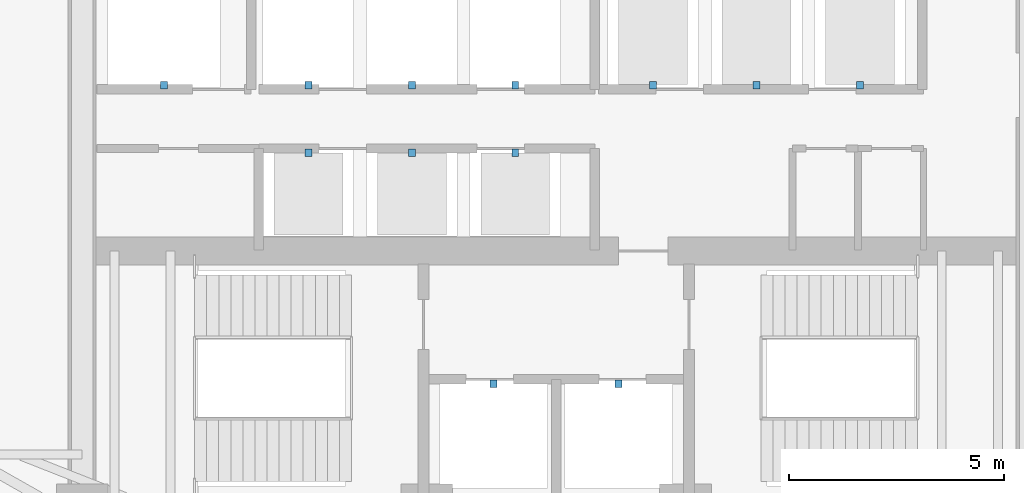
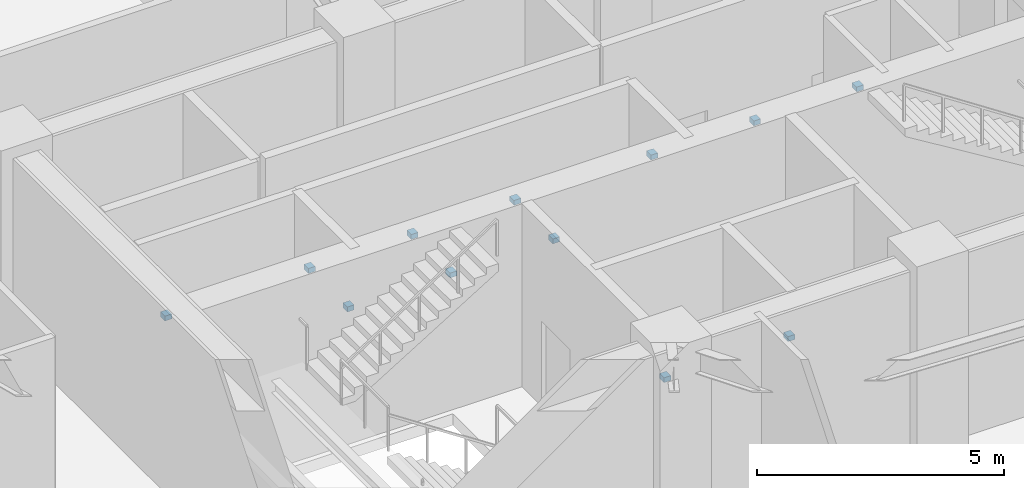
# One storey, part 28 of 35: 12 discrete accessories.
"""IFC4 building model written with IfcOpenShell, lengths in metres."""

import ifcopenshell
import ifcopenshell.guid

model = None  # the IFC model being written
_history = None  # IfcOwnerHistory: only IFC2X3 demands one
_inside = {}  # id of a spatial element -> (the spatial element, [elements in it])
_under = {}  # id of a project, library or spatial element -> (it, [spatial elements below it])
_declared = {}  # id of a project -> (the project, [libraries it declares])
_typed = {}  # id of a type object -> (the type object, [elements of that type])
_made_of = {}  # id of a material, layer set ... -> (it, [elements and type objects made of it])


def new_model(schema):
    """Start an empty IFC model of exactly this schema.

    Asked for "IFC4X3", IfcOpenShell would pick the latest addendum, in which some entities
    have other attributes; the version numbers below select the first issue.
    IFC2X3 requires an IfcOwnerHistory on every rooted entity: one is made here for all.
    """
    global model, _history
    if schema == "IFC4X3":
        model = ifcopenshell.file(schema_version=(4, 3, 0, 0))
    else:
        model = ifcopenshell.file(schema=schema)
    _inside.clear()
    _under.clear()
    _declared.clear()
    _typed.clear()
    _made_of.clear()
    _history = None
    if model.schema == "IFC2X3":
        org = make("IfcOrganization", Name="unknown")
        user = make(
            "IfcPersonAndOrganization",
            ThePerson=make("IfcPerson", FamilyName="unknown"),
            TheOrganization=org,
        )
        app = make(
            "IfcApplication",
            ApplicationDeveloper=org,
            Version="unknown",
            ApplicationFullName="unknown",
            ApplicationIdentifier="unknown",
        )
        _history = make(
            "IfcOwnerHistory",
            OwningUser=user,
            OwningApplication=app,
            ChangeAction="ADDED",
            CreationDate=0,
        )
    return model


def make(cls, **values):
    """One entity of the class cls with the attributes given. An attribute that is None is left unset."""
    return model.create_entity(
        cls, **{name: value for name, value in values.items() if value is not None}
    )


def rooted(cls, **values):
    """An entity with a GlobalId (a new one), such as an element, a storey or a relation."""
    return make(cls, GlobalId=ifcopenshell.guid.new(), OwnerHistory=_history, **values)


def si_unit(unit_type, name, prefix=None):
    """IfcSIUnit, for example si_unit("LENGTHUNIT", "METRE", prefix="MILLI")."""
    return make("IfcSIUnit", UnitType=unit_type, Prefix=prefix, Name=name)


def assignment(units):
    """IfcUnitAssignment: the units of a project."""
    return None if units is None else make("IfcUnitAssignment", Units=units)


def point(xyz):
    """IfcCartesianPoint."""
    return None if xyz is None else make("IfcCartesianPoint", Coordinates=xyz)


def direction(xyz):
    """IfcDirection."""
    return None if xyz is None else make("IfcDirection", DirectionRatios=xyz)


def frame(location, z_axis=None, x_axis=None):
    """IfcAxis2Placement3D, a coordinate frame: its origin and axes. An axis left out is left unset."""
    return make(
        "IfcAxis2Placement3D",
        Location=point(location),
        Axis=direction(z_axis),
        RefDirection=direction(x_axis),
    )


def frame_2d(location, x_axis=None):
    """IfcAxis2Placement2D, a coordinate frame in the plane: its origin and x axis."""
    return make(
        "IfcAxis2Placement2D", Location=point(location), RefDirection=direction(x_axis)
    )


def origin():
    """The frame at (0, 0, 0) with its axes left unset."""
    return frame((0.0, 0.0, 0.0))


def origin_2d():
    """The frame at (0, 0) in the plane with its x axis left unset."""
    return frame_2d((0.0, 0.0))


def place(relative_to, where):
    """IfcLocalPlacement: puts the frame where relative to a parent placement (None: the world)."""
    return make(
        "IfcLocalPlacement", PlacementRelTo=relative_to, RelativePlacement=where
    )


def context(
    kind, dimensions, precision=None, world=None, true_north=None, identifier=None
):
    """IfcGeometricRepresentationContext, for example the 3D "Model" context."""
    return make(
        "IfcGeometricRepresentationContext",
        ContextIdentifier=identifier,
        ContextType=kind,
        CoordinateSpaceDimension=dimensions,
        Precision=precision,
        WorldCoordinateSystem=world,
        TrueNorth=true_north,
    )


def subcontext(parent, identifier, kind, view, scale=None):
    """IfcGeometricRepresentationSubContext, for example "Body" below "Model"."""
    return make(
        "IfcGeometricRepresentationSubContext",
        ContextIdentifier=identifier,
        ContextType=kind,
        ParentContext=parent,
        TargetScale=scale,
        TargetView=view,
    )


def project(units=None, contexts=None):
    """IfcProject with its units and contexts."""
    return rooted(
        "IfcProject",
        Name="project",
        RepresentationContexts=contexts,
        UnitsInContext=assignment(units),
    )


def spatial(cls, under=None, at=None, **own):
    """A site, building, storey or space (cls), placed at a placement, below another one or the project."""
    s = rooted(cls, ObjectPlacement=at, **own)
    if under is not None:
        _under.setdefault(under.id(), (under, []))[1].append(s)
    return s


def profile(cls, at=None, kind="AREA", **sizes):
    """A parametric profile (cls). Its sizes go by their IFC names, for example OverallWidth=200.0."""
    return make(cls, ProfileType=kind, Position=at, **sizes)


def rectangle(**sizes):
    """IfcRectangleProfileDef."""
    return profile("IfcRectangleProfileDef", **sizes)


def extrude(swept, where, along, depth):
    """IfcExtrudedAreaSolid: the profile swept, set in the frame where, extruded along a direction by depth."""
    return make(
        "IfcExtrudedAreaSolid",
        SweptArea=swept,
        Position=where,
        ExtrudedDirection=direction(along),
        Depth=depth,
    )


def shape(context_of_items, identifier, shape_type, items):
    """IfcShapeRepresentation: the items that make up one representation, for example the "Body"."""
    return make(
        "IfcShapeRepresentation",
        ContextOfItems=context_of_items,
        RepresentationIdentifier=identifier,
        RepresentationType=shape_type,
        Items=items,
    )


def material(Name=None, Category=None):
    """IfcMaterial."""
    return make("IfcMaterial", Name=Name, Category=Category)


def made_of(thing, what):
    """Note that an element or type object is made of a material, layer set ...; save() writes the relation."""
    if what is not None:
        _made_of.setdefault(what.id(), (what, []))[1].append(thing)
    return thing


def type_object(cls, material=None, **own):
    """A type object (cls), such as IfcWallType, which elements share."""
    return made_of(rooted(cls, **own), material)


def element(
    cls,
    number,
    at=None,
    inside=None,
    cuts=None,
    type_object=None,
    material=None,
    context=None,
    identifier="Body",
    shape_type=None,
    held_by="IfcProductDefinitionShape",
    body=None,
    shapes=None,
    **own,
):
    """One element of the class cls, such as IfcWall. Its Tag is "e" and its number.

    at: its placement. inside: the storey or other place that contains it. cuts: it is an
    opening in that element (IfcRelVoidsElement). A single representation is given by context,
    identifier, shape_type and body (its items); several are given by shapes. held_by: the class
    of the entity that holds the representations. save() writes the other relations.
    """
    e = rooted(cls, Tag="e%d" % number, ObjectPlacement=at, **own)
    if body is not None:
        shapes = [shape(context, identifier, shape_type, body)]
    if shapes is not None:
        e.Representation = make(held_by, Representations=shapes)
    if inside is not None:
        _inside.setdefault(inside.id(), (inside, []))[1].append(e)
    if cuts is not None:
        rooted(
            "IfcRelVoidsElement", RelatingBuildingElement=cuts, RelatedOpeningElement=e
        )
    if type_object is not None:
        _typed.setdefault(type_object.id(), (type_object, []))[1].append(e)
    return made_of(e, material)


def aggregate(whole, parts):
    """IfcRelAggregates: a whole, such as a stair, and the parts it consists of."""
    return rooted("IfcRelAggregates", RelatingObject=whole, RelatedObjects=parts)


def save(model, path):
    """Write the relations noted so far, then the file.

    IfcRelAggregates (storeys below a building ...), IfcRelContainedInSpatialStructure (elements
    in a storey), IfcRelDefinesByType, IfcRelAssociatesMaterial and IfcRelDeclares: one each for
    every whole, place, type object, material and project.
    """
    for whole, parts in _under.values():
        aggregate(whole, parts)
    for where, things in _inside.values():
        rooted(
            "IfcRelContainedInSpatialStructure",
            RelatedElements=things,
            RelatingStructure=where,
        )
    for kind, things in _typed.values():
        rooted("IfcRelDefinesByType", RelatedObjects=things, RelatingType=kind)
    for what, things in _made_of.values():
        rooted("IfcRelAssociatesMaterial", RelatedObjects=things, RelatingMaterial=what)
    for by, libraries in _declared.values():
        rooted("IfcRelDeclares", RelatingContext=by, RelatedDefinitions=libraries)
    model.write(path)


model = new_model("IFC4")

# Units and contexts
model_context = context("Model", 3, precision=1e-05, world=origin(), true_north=direction((0.0, 1.0)))
body_context = subcontext(model_context, "Body", "Model", "MODEL_VIEW")
ifc_project = project(units=[si_unit("LENGTHUNIT", "METRE"), si_unit("AREAUNIT", "SQUARE_METRE"), si_unit("VOLUMEUNIT", "CUBIC_METRE"), si_unit("PLANEANGLEUNIT", "RADIAN"), si_unit("MASSUNIT", "GRAM", prefix="KILO")], contexts=[model_context])

# Site, building, storey
site_placement = place(None, origin())
site = spatial("IfcSite", under=ifc_project, at=site_placement, CompositionType="ELEMENT")
building_placement = place(site_placement, origin())
building = spatial("IfcBuilding", under=site, at=building_placement, Name="Kazevale Care Tower and Concert Hall", CompositionType="ELEMENT")
storey_placement = place(building_placement, origin())
storey = spatial("IfcBuildingStorey", under=building, at=storey_placement, Name="L00", CompositionType="ELEMENT", Elevation=0.0)

# Discrete accessories
ifc_material = material(Name="Stainless Steel 316", Category="steel")
discrete_accessory_type = type_object("IfcDiscreteAccessoryType", Name="Hoistway Guide-Rail Wall Bracket HBRK-1", PredefinedType="BRACKET", material=ifc_material)
for number, where, z_axis, x_axis, name in (
    (1, (31.550048828125, 26.52001953125, 1.239990234375), (0.0, 0.0, 1.0), (1.0, 0.0, 0.0), "hbrk:FFL-1:L00"),
    (2, (34.449951171875, 26.52001953125, 1.239990234375), (0.0, 0.0, 1.0), (1.0, 0.0, 0.0), "hbrk:FFL-2:L00"),
    (3, (23.89990234375, 33.449951171875, 1.239990234375), (0.0, 0.0, 1.0), (1.0, 0.0, 0.0), "hbrk:SVL-1:L00"),
    (4, (27.25, 33.449951171875, 1.239990234375), (0.0, 0.0, 1.0), (1.0, 0.0, 0.0), "hbrk:PL-1:L00"),
    (5, (29.64990234375, 33.449951171875, 1.239990234375), (0.0, 0.0, 1.0), (1.0, 0.0, 0.0), "hbrk:PL-2:L00"),
    (6, (32.050048828125, 33.449951171875, 1.239990234375), (0.0, 0.0, 1.0), (1.0, 0.0, 0.0), "hbrk:PL-3:L00"),
    (7, (35.25, 33.449951171875, 1.239990234375), (0.0, 0.0, 1.0), (1.0, 0.0, 0.0), "hbrk:PM-1:L00"),
    (8, (37.64990234375, 33.449951171875, 1.239990234375), (0.0, 0.0, 1.0), (1.0, 0.0, 0.0), "hbrk:PM-2:L00"),
    (9, (40.050048828125, 33.449951171875, 1.239990234375), (0.0, 0.0, 1.0), (1.0, 0.0, 0.0), "hbrk:PM-3:L00"),
    (10, (27.25, 31.8798828125, 1.239990234375), (0.0, 0.0, 1.0), (1.0, 0.0, 0.0), "hbrk:PH-1:L00"),
    (11, (29.64990234375, 31.8798828125, 1.239990234375), (0.0, 0.0, 1.0), (1.0, 0.0, 0.0), "hbrk:PH-2:L00"),
    (12, (32.050048828125, 31.8798828125, 1.239990234375), (0.0, 0.0, 1.0), (1.0, 0.0, 0.0), "hbrk:PH-3:L00"),
):
    element("IfcDiscreteAccessory", number, at=place(storey_placement, frame(where, z_axis=z_axis, x_axis=x_axis)), inside=storey, type_object=discrete_accessory_type, Name=name, PredefinedType="BRACKET", context=body_context, shape_type="SweptSolid", body=[
        extrude(rectangle(XDim=0.159912109375, YDim=0.179931640625, at=origin_2d()), origin(), (0.0, 0.0, 1.0), 0.1201171875),
    ])

save(model, "model.ifc")
